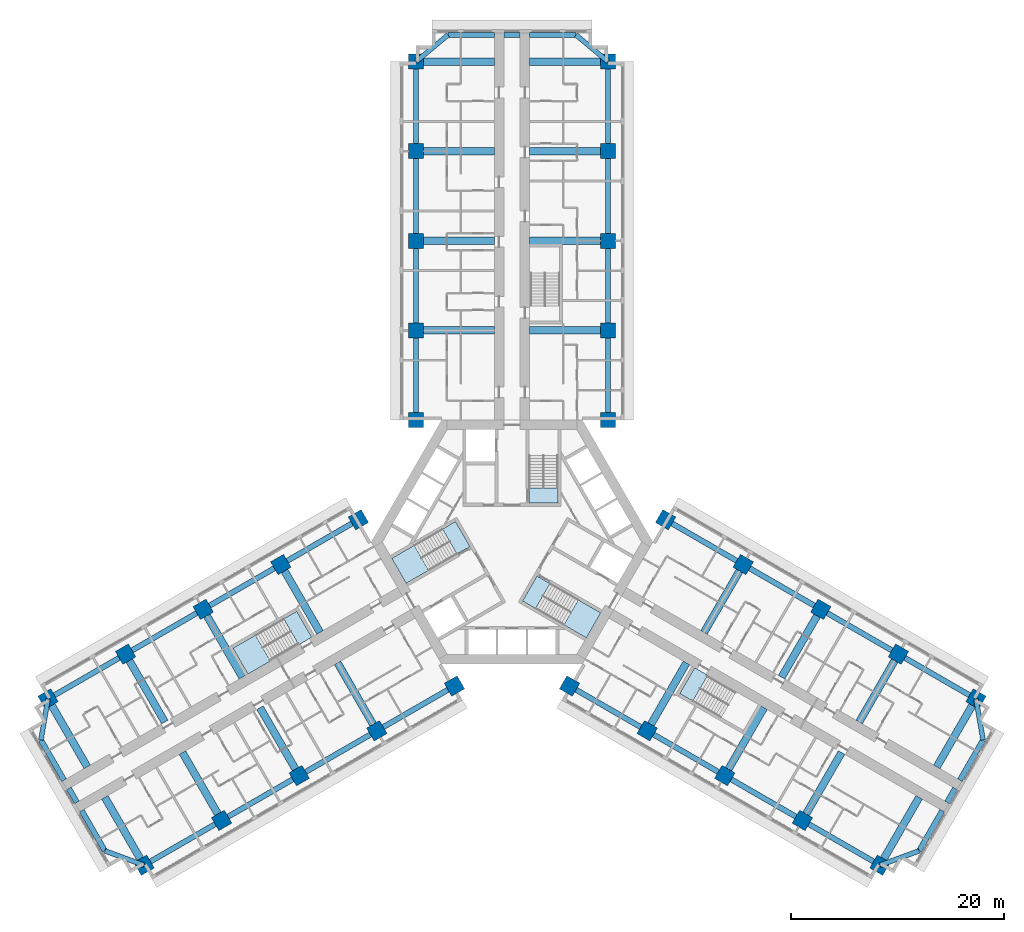
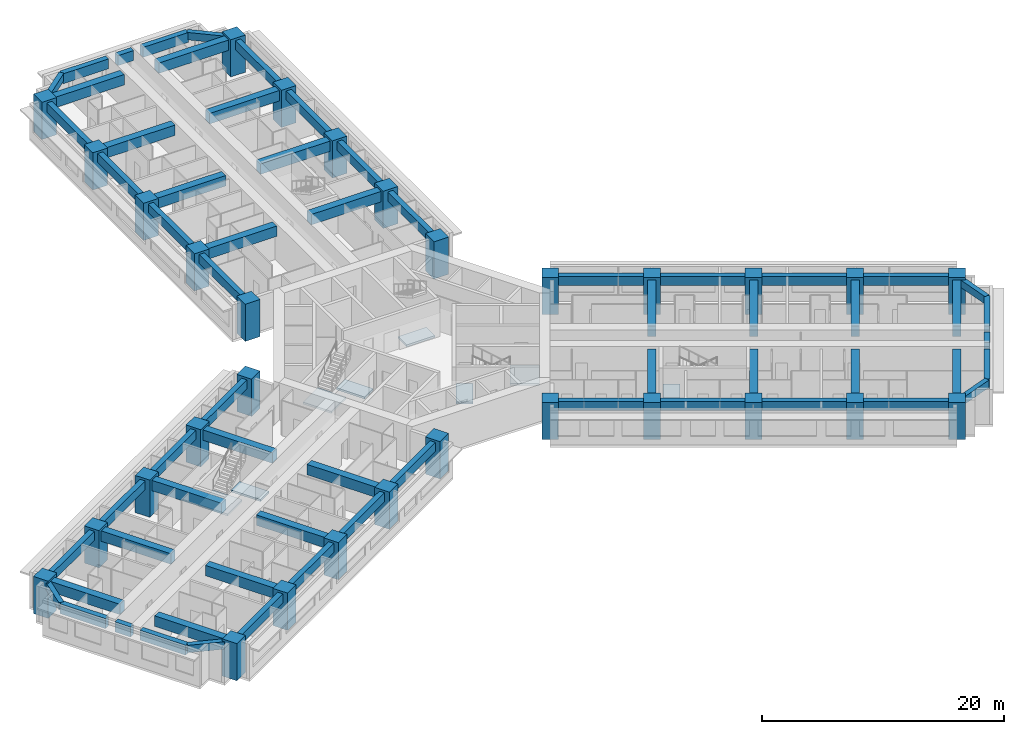
# One storey, part 1 of 16: 63 beams, 30 columns, 8 slabs, 5 elements without a shape of their own.
"""IFC4 building model written with IfcOpenShell, lengths in metres."""

from ifc_helpers import new_model, si_unit, direction, frame, origin, origin_2d, place, context, subcontext, project, spatial, polyline, rectangle, outline, extrude, material, layer, layer_set, material_profile, profile_set, type_object, element, aggregate, save


model = new_model("IFC4")

# Units and contexts
model_context = context("Model", 3, precision=1e-05, world=origin(), true_north=direction((0.0, 1.0)))
body_context = subcontext(model_context, "Body", "Model", "MODEL_VIEW")
ifc_project = project(units=[si_unit("LENGTHUNIT", "METRE"), si_unit("AREAUNIT", "SQUARE_METRE"), si_unit("VOLUMEUNIT", "CUBIC_METRE"), si_unit("PLANEANGLEUNIT", "RADIAN"), si_unit("MASSUNIT", "GRAM", prefix="KILO")], contexts=[model_context])

# Site, building, storey
site_placement = place(None, origin())
site = spatial("IfcSite", under=ifc_project, at=site_placement, CompositionType="ELEMENT")
building_placement = place(site_placement, origin())
building = spatial("IfcBuilding", under=site, at=building_placement, Name="Impinga Residences", CompositionType="ELEMENT")
storey_placement = place(building_placement, frame((0.0, 0.0, 59.75)))
storey = spatial("IfcBuildingStorey", under=building, at=storey_placement, Name="L14", CompositionType="ELEMENT", Elevation=59.75)

# Columns
ifc_material_1 = material(Name="Concrete C70/85", Category="concrete")
ifc_material_profile_1 = material_profile(ifc_material_1, rectangle(XDim=1.39990234375, YDim=1.39990234375, at=origin_2d()), Name="RC 1400x1400")
ifc_profile_set_1 = profile_set([ifc_material_profile_1], Name="Concrete C70/85")
column_type = type_object("IfcColumnType", Name="C2 1400x1400 column", PredefinedType="COLUMN", material=ifc_profile_set_1)
for number, where, z_axis, x_axis, name in (
    (1, (-9.0, 11.431640625, 0.0), (0.0, 0.0, 1.0), (1.0, 0.0, 0.0), "Column C2 N1/NA L14"),
    (2, (9.0, 11.431640625, 0.0), (0.0, 0.0, 1.0), (1.0, 0.0, 0.0), "Column C2 N1/NF L14"),
    (3, (-9.0, 19.83154296875, 0.0), (0.0, 0.0, 1.0), (1.0, 0.0, 0.0), "Column C2 N2/NA L14"),
    (4, (9.0, 19.83154296875, 0.0), (0.0, 0.0, 1.0), (1.0, 0.0, 0.0), "Column C2 N2/NF L14"),
    (5, (-9.0, 28.2314453125, 0.0), (0.0, 0.0, 1.0), (1.0, 0.0, 0.0), "Column C2 N3/NA L14"),
    (6, (9.0, 28.2314453125, 0.0), (0.0, 0.0, 1.0), (1.0, 0.0, 0.0), "Column C2 N3/NF L14"),
    (7, (-9.0, 36.631591796875, 0.0), (0.0, 0.0, 1.0), (1.0, 0.0, 0.0), "Column C2 N4/NA L14"),
    (8, (9.0, 36.631591796875, 0.0), (0.0, 0.0, 1.0), (1.0, 0.0, 0.0), "Column C2 N4/NF L14"),
    (9, (-9.0, 45.031494140625, 0.0), (0.0, 0.0, 1.0), (1.0, 0.0, 0.0), "Column C2 N5/NA L14"),
    (10, (9.0, 45.031494140625, 0.0), (0.0, 0.0, 1.0), (1.0, 0.0, 0.0), "Column C2 N5/NF L14"),
    (11, (-5.39990234375, -13.510009765625, 0.0), (0.0, 0.0, 1.0), (-0.5, 0.866025403784, 0.0), "Column C2 W1/WA L14"),
    (12, (-14.39990234375, 2.078369140625, 0.0), (0.0, 0.0, 1.0), (-0.5, 0.866025403784, 0.0), "Column C2 W1/WF L14"),
    (13, (-12.674560546875, -17.7099609375, 0.0), (0.0, 0.0, 1.0), (-0.5, 0.866025403784, 0.0), "Column C2 W2/WA L14"),
    (14, (-21.674560546875, -2.12158203125, 0.0), (0.0, 0.0, 1.0), (-0.5, 0.866025403784, 0.0), "Column C2 W2/WF L14"),
    (15, (-19.94921875, -21.909912109375, 0.0), (0.0, 0.0, 1.0), (-0.5, 0.866025403784, 0.0), "Column C2 W3/WA L14"),
    (16, (-28.94921875, -6.321533203125, 0.0), (0.0, 0.0, 1.0), (-0.5, 0.866025403784, 0.0), "Column C2 W3/WF L14"),
    (17, (-27.223876953125, -26.110107421875, 0.0), (0.0, 0.0, 1.0), (-0.5, 0.866025403784, 0.0), "Column C2 W4/WA L14"),
    (18, (-36.223876953125, -10.521484375, 0.0), (0.0, 0.0, 1.0), (-0.5, 0.866025403784, 0.0), "Column C2 W4/WF L14"),
    (19, (-34.49853515625, -30.31005859375, 0.0), (0.0, 0.0, 1.0), (-0.5, 0.866025403784, 0.0), "Column C2 W5/WA L14"),
    (20, (-43.49853515625, -14.721435546875, 0.0), (0.0, 0.0, 1.0), (-0.5, 0.866025403784, 0.0), "Column C2 W5/WF L14"),
    (21, (14.39990234375, 2.078369140625, 0.0), (0.0, 0.0, 1.0), (-0.5, -0.866025403784, 0.0), "Column C2 E1/EA L14"),
    (22, (5.39990234375, -13.510009765625, 0.0), (0.0, 0.0, 1.0), (-0.5, -0.866025403784, 0.0), "Column C2 E1/EF L14"),
    (23, (21.674560546875, -2.12158203125, 0.0), (0.0, 0.0, 1.0), (-0.5, -0.866025403784, 0.0), "Column C2 E2/EA L14"),
    (24, (12.674560546875, -17.7099609375, 0.0), (0.0, 0.0, 1.0), (-0.5, -0.866025403784, 0.0), "Column C2 E2/EF L14"),
    (25, (28.94921875, -6.321533203125, 0.0), (0.0, 0.0, 1.0), (-0.5, -0.866025403784, 0.0), "Column C2 E3/EA L14"),
    (26, (19.94921875, -21.909912109375, 0.0), (0.0, 0.0, 1.0), (-0.5, -0.866025403784, 0.0), "Column C2 E3/EF L14"),
    (27, (36.223876953125, -10.521484375, 0.0), (0.0, 0.0, 1.0), (-0.5, -0.866025403784, 0.0), "Column C2 E4/EA L14"),
    (28, (27.223876953125, -26.110107421875, 0.0), (0.0, 0.0, 1.0), (-0.5, -0.866025403784, 0.0), "Column C2 E4/EF L14"),
    (29, (43.49853515625, -14.721435546875, 0.0), (0.0, 0.0, 1.0), (-0.5, -0.866025403784, 0.0), "Column C2 E5/EA L14"),
    (30, (34.49853515625, -30.31005859375, 0.0), (0.0, 0.0, 1.0), (-0.5, -0.866025403784, 0.0), "Column C2 E5/EF L14"),
):
    element("IfcColumn", number, at=place(storey_placement, frame(where, z_axis=z_axis, x_axis=x_axis)), inside=storey, type_object=column_type, Name=name, PredefinedType="COLUMN", context=body_context, shape_type="SweptSolid", body=[
        extrude(rectangle(XDim=1.39990234375, YDim=1.39990234375, at=origin_2d()), origin(), (0.0, 0.0, 1.0), 3.75),
    ])

# Beams
ifc_material_2 = material(Name="Concrete C60/75", Category="concrete")
ifc_material_profile_2 = material_profile(ifc_material_2, rectangle(XDim=0.449951171875, YDim=0.75, at=origin_2d()), Name="RC 450x750")
ifc_profile_set_2 = profile_set([ifc_material_profile_2], Name="Concrete C60/75")
beam_type_1 = type_object("IfcBeamType", Name="CB1 450x750 wing end cantilever beam", PredefinedType="BEAM", material=ifc_profile_set_2)
for number, where, z_axis, x_axis, name in (
    (31, (-9.0, 45.031494140625, 3.155029296875), (0.768221279597, 0.640184399664, 0.0), (-0.640184399664, 0.768221279597, 0.0), "Beam CB1 NB N5-NX level L15"),
    (32, (9.0, 45.031494140625, 3.155029296875), (-0.768221279597, 0.640184399664, 0.0), (-0.640184399664, -0.768221279597, 0.0), "Beam CB1 NE N5-NX level L15"),
    (33, (-34.49853515625, -30.31005859375, 3.155029296875), (-0.938520178725, 0.345224382289, 0.0), (-0.345224382289, -0.938520178725, 0.0), "Beam CB1 WB W5-WX level L15"),
):
    element("IfcBeam", number, at=place(storey_placement, frame(where, z_axis=z_axis, x_axis=x_axis)), inside=storey, type_object=beam_type_1, Name=name, PredefinedType="BEAM", context=body_context, shape_type="SweptSolid", body=[
        extrude(rectangle(XDim=0.449951171875, YDim=0.75, at=origin_2d()), origin(), (0.0, 0.0, 1.0), 3.905029296875),
    ])
for number, where, z_axis, x_axis, name in (
    (34, (-43.49853515625, -14.721435546875, 3.155029296875), (-0.170296298948, -0.985392901621, 0.0), (0.985392901621, -0.170296298948, 0.0), "Beam CB1 WE W5-WX level L15"),
    (35, (43.49853515625, -14.721435546875, 3.155029296875), (0.170296298948, -0.985392901621, 0.0), (0.985392901621, 0.170296298948, 0.0), "Beam CB1 EB E5-EX level L15"),
):
    element("IfcBeam", number, at=place(storey_placement, frame(where, z_axis=z_axis, x_axis=x_axis)), inside=storey, type_object=beam_type_1, Name=name, PredefinedType="BEAM", context=body_context, shape_type="SweptSolid", body=[
        extrude(rectangle(XDim=0.449951171875, YDim=0.75, at=origin_2d()), origin(), (0.0, 0.0, 1.0), 3.9052734375),
    ])
beam_1_placement = place(storey_placement, frame((34.49853515625, -30.31005859375, 3.155029296875), z_axis=(0.938520178725, 0.345224382289, 0.0), x_axis=(-0.345224382289, 0.938520178725, 0.0)))
element("IfcBeam", 36, at=beam_1_placement, inside=storey, type_object=beam_type_1, Name="Beam CB1 EE E5-EX level L15", PredefinedType="BEAM", context=body_context, shape_type="SweptSolid", body=[
    extrude(rectangle(XDim=0.449951171875, YDim=0.75, at=origin_2d()), origin(), (0.0, 0.0, 1.0), 3.905029296875),
])
ifc_material_profile_3 = material_profile(ifc_material_2, rectangle(XDim=0.699951171875, YDim=1.050048828125, at=origin_2d()), Name="RC 700x1050")
ifc_profile_set_3 = profile_set([ifc_material_profile_3], Name="Concrete C60/75")
beam_type_2 = type_object("IfcBeamType", Name="CG1 700x1050 cross girder on a wing bay line", PredefinedType="BEAM", material=ifc_profile_set_3)
for number, where, z_axis, x_axis, name in (
    (37, (-1.64990234375, 19.83154296875, 3.0048828125), (-1.0, 0.0, 0.0), (0.0, -1.0, 0.0), "Beam CG1 N2 NC/NA level L15"),
    (38, (-1.64990234375, 28.2314453125, 3.0048828125), (-1.0, 0.0, 0.0), (0.0, -1.0, 0.0), "Beam CG1 N3 NC/NA level L15"),
    (39, (-1.64990234375, 36.631591796875, 3.0048828125), (-1.0, 0.0, 0.0), (0.0, -1.0, 0.0), "Beam CG1 N4 NC/NA level L15"),
    (40, (-1.64990234375, 45.031494140625, 3.0048828125), (-1.0, 0.0, 0.0), (0.0, -1.0, 0.0), "Beam CG1 N5 NC/NA level L15"),
    (41, (1.64990234375, 19.83154296875, 3.0048828125), (1.0, 0.0, 0.0), (0.0, 1.0, 0.0), "Beam CG1 N2 NC/NF level L15"),
    (42, (1.64990234375, 28.2314453125, 3.0048828125), (1.0, 0.0, 0.0), (0.0, 1.0, 0.0), "Beam CG1 N3 NC/NF level L15"),
    (43, (1.64990234375, 36.631591796875, 3.0048828125), (1.0, 0.0, 0.0), (0.0, 1.0, 0.0), "Beam CG1 N4 NC/NF level L15"),
    (44, (1.64990234375, 45.031494140625, 3.0048828125), (1.0, 0.0, 0.0), (0.0, 1.0, 0.0), "Beam CG1 N5 NC/NF level L15"),
    (45, (-16.349609375, -11.3447265625, 3.0048828125), (0.500008066151, -0.86602074674, 0.0), (0.86602074674, 0.500008066151, 0.0), "Beam CG1 W2 WC/WA level L15"),
    (46, (-23.624267578125, -15.544677734375, 3.0048828125), (0.500008066151, -0.86602074674, 0.0), (0.86602074674, 0.500008066151, 0.0), "Beam CG1 W3 WC/WA level L15"),
    (47, (-30.89892578125, -19.74462890625, 3.0048828125), (0.499993683172, -0.866029050776, 0.0), (0.866029050776, 0.499993683172, 0.0), "Beam CG1 W4 WC/WA level L15"),
):
    element("IfcBeam", number, at=place(storey_placement, frame(where, z_axis=z_axis, x_axis=x_axis)), inside=storey, type_object=beam_type_2, Name=name, PredefinedType="BEAM", context=body_context, shape_type="SweptSolid", body=[
        extrude(rectangle(XDim=0.699951171875, YDim=1.050048828125, at=origin_2d()), origin(), (0.0, 0.0, 1.0), 7.35009765625),
    ])
beam_2_placement = place(storey_placement, frame((-38.17333984375, -23.94482421875, 3.0048828125), z_axis=(0.499983153418, -0.866035129944, 0.0), x_axis=(0.866035129944, 0.499983153418, 0.0)))
element("IfcBeam", 48, at=beam_2_placement, inside=storey, type_object=beam_type_2, Name="Beam CG1 W5 WC/WA level L15", PredefinedType="BEAM", context=body_context, shape_type="SweptSolid", body=[
    extrude(rectangle(XDim=0.699951171875, YDim=1.050048828125, at=origin_2d()), origin(), (0.0, 0.0, 1.0), 7.349853515625),
])
for number, where, z_axis, x_axis, name in (
    (49, (-17.99951171875, -8.48681640625, 3.0048828125), (-0.500008066151, 0.86602074674, 0.0), (-0.86602074674, -0.500008066151, 0.0), "Beam CG1 W2 WC/WF level L15"),
    (50, (-25.274169921875, -12.686767578125, 3.0048828125), (-0.500008066151, 0.86602074674, 0.0), (-0.86602074674, -0.500008066151, 0.0), "Beam CG1 W3 WC/WF level L15"),
    (51, (-32.548828125, -16.88671875, 3.0048828125), (-0.500008066151, 0.86602074674, 0.0), (-0.86602074674, -0.500008066151, 0.0), "Beam CG1 W4 WC/WF level L15"),
    (52, (-39.823486328125, -21.0869140625, 3.0048828125), (-0.499993683172, 0.866029050776, 0.0), (-0.866029050776, -0.499993683172, 0.0), "Beam CG1 W5 WC/WF level L15"),
    (53, (17.99951171875, -8.48681640625, 3.0048828125), (0.500008066151, 0.86602074674, 0.0), (-0.86602074674, 0.500008066151, 0.0), "Beam CG1 E2 EC/EA level L15"),
    (54, (25.274169921875, -12.686767578125, 3.0048828125), (0.500008066151, 0.86602074674, 0.0), (-0.86602074674, 0.500008066151, 0.0), "Beam CG1 E3 EC/EA level L15"),
    (55, (32.548828125, -16.88671875, 3.0048828125), (0.500008066151, 0.86602074674, 0.0), (-0.86602074674, 0.500008066151, 0.0), "Beam CG1 E4 EC/EA level L15"),
    (56, (39.823486328125, -21.0869140625, 3.0048828125), (0.499993683172, 0.866029050776, 0.0), (-0.866029050776, 0.499993683172, 0.0), "Beam CG1 E5 EC/EA level L15"),
    (57, (16.349609375, -11.3447265625, 3.0048828125), (-0.500008066151, -0.86602074674, 0.0), (0.86602074674, -0.500008066151, 0.0), "Beam CG1 E2 EC/EF level L15"),
    (58, (23.624267578125, -15.544677734375, 3.0048828125), (-0.500008066151, -0.86602074674, 0.0), (0.86602074674, -0.500008066151, 0.0), "Beam CG1 E3 EC/EF level L15"),
    (59, (30.89892578125, -19.74462890625, 3.0048828125), (-0.499993683172, -0.866029050776, 0.0), (0.866029050776, -0.499993683172, 0.0), "Beam CG1 E4 EC/EF level L15"),
):
    element("IfcBeam", number, at=place(storey_placement, frame(where, z_axis=z_axis, x_axis=x_axis)), inside=storey, type_object=beam_type_2, Name=name, PredefinedType="BEAM", context=body_context, shape_type="SweptSolid", body=[
        extrude(rectangle(XDim=0.699951171875, YDim=1.050048828125, at=origin_2d()), origin(), (0.0, 0.0, 1.0), 7.35009765625),
    ])
beam_3_placement = place(storey_placement, frame((38.17333984375, -23.94482421875, 3.0048828125), z_axis=(-0.499983153418, -0.866035129944, 0.0), x_axis=(0.866035129944, -0.499983153418, 0.0)))
element("IfcBeam", 60, at=beam_3_placement, inside=storey, type_object=beam_type_2, Name="Beam CG1 E5 EC/EF level L15", PredefinedType="BEAM", context=body_context, shape_type="SweptSolid", body=[
    extrude(rectangle(XDim=0.699951171875, YDim=1.050048828125, at=origin_2d()), origin(), (0.0, 0.0, 1.0), 7.349853515625),
])
ifc_material_profile_4 = material_profile(ifc_material_2, rectangle(XDim=0.5, YDim=1.0, at=origin_2d()), Name="RC 500x1000")
ifc_profile_set_4 = profile_set([ifc_material_profile_4], Name="Concrete C60/75")
beam_type_3 = type_object("IfcBeamType", Name="EB1 500x1000 wing end beam", PredefinedType="BEAM", material=ifc_profile_set_4)
beam_4_placement = place(storey_placement, frame((-6.0, 47.531494140625, 3.030029296875), z_axis=(1.0, 0.0, 0.0), x_axis=(0.0, 1.0, 0.0)))
element("IfcBeam", 61, at=beam_4_placement, inside=storey, type_object=beam_type_3, Name="Beam EB1 NX4 level L15", PredefinedType="BEAM", context=body_context, shape_type="SweptSolid", body=[
    extrude(rectangle(XDim=0.5, YDim=1.0, at=origin_2d()), origin(), (0.0, 0.0, 1.0), 4.35009765625),
])
beam_5_placement = place(storey_placement, frame((-0.75, 47.531494140625, 3.030029296875), z_axis=(1.0, 0.0, 0.0), x_axis=(0.0, 1.0, 0.0)))
element("IfcBeam", 62, at=beam_5_placement, inside=storey, type_object=beam_type_3, Name="Beam EB1 NX4 level L15", PredefinedType="BEAM", context=body_context, shape_type="SweptSolid", body=[
    extrude(rectangle(XDim=0.5, YDim=1.0, at=origin_2d()), origin(), (0.0, 0.0, 1.0), 1.5),
])
beam_6_placement = place(storey_placement, frame((1.64990234375, 47.531494140625, 3.030029296875), z_axis=(1.0, 0.0, 0.0), x_axis=(0.0, 1.0, 0.0)))
element("IfcBeam", 63, at=beam_6_placement, inside=storey, type_object=beam_type_3, Name="Beam EB1 NX4 level L15", PredefinedType="BEAM", context=body_context, shape_type="SweptSolid", body=[
    extrude(rectangle(XDim=0.5, YDim=1.0, at=origin_2d()), origin(), (0.0, 0.0, 1.0), 4.35009765625),
])
beam_7_placement = place(storey_placement, frame((-38.16357421875, -28.9619140625, 3.030029296875), z_axis=(-0.500020430026, 0.866013608182, 0.0), x_axis=(-0.866013608182, -0.500020430026, 0.0)))
element("IfcBeam", 64, at=beam_7_placement, inside=storey, type_object=beam_type_3, Name="Beam EB1 WX4 level L15", PredefinedType="BEAM", context=body_context, shape_type="SweptSolid", body=[
    extrude(rectangle(XDim=0.5, YDim=1.0, at=origin_2d()), origin(), (0.0, 0.0, 1.0), 4.349853515625),
])
beam_8_placement = place(storey_placement, frame((-40.78857421875, -24.415283203125, 3.030029296875), z_axis=(-0.499990139034, 0.866031096941, 0.0), x_axis=(-0.866031096941, -0.499990139034, 0.0)))
element("IfcBeam", 65, at=beam_8_placement, inside=storey, type_object=beam_type_3, Name="Beam EB1 WX4 level L15", PredefinedType="BEAM", context=body_context, shape_type="SweptSolid", body=[
    extrude(rectangle(XDim=0.5, YDim=1.0, at=origin_2d()), origin(), (0.0, 0.0, 1.0), 1.5),
])
for number, where, z_axis, x_axis, name in (
    (66, (-41.988525390625, -22.3369140625, 3.030029296875), (-0.499996127374, 0.866027639635, 0.0), (-0.866027639635, -0.499996127374, 0.0), "Beam EB1 WX4 level L15"),
    (67, (44.16357421875, -18.569580078125, 3.030029296875), (-0.499996127374, -0.866027639635, 0.0), (0.866027639635, -0.499996127374, 0.0), "Beam EB1 EX4 level L15"),
):
    element("IfcBeam", number, at=place(storey_placement, frame(where, z_axis=z_axis, x_axis=x_axis)), inside=storey, type_object=beam_type_3, Name=name, PredefinedType="BEAM", context=body_context, shape_type="SweptSolid", body=[
        extrude(rectangle(XDim=0.5, YDim=1.0, at=origin_2d()), origin(), (0.0, 0.0, 1.0), 4.35009765625),
    ])
beam_9_placement = place(storey_placement, frame((41.53857421875, -23.1162109375, 3.030029296875), z_axis=(-0.499990139034, -0.866031096941, 0.0), x_axis=(0.866031096941, -0.499990139034, 0.0)))
element("IfcBeam", 68, at=beam_9_placement, inside=storey, type_object=beam_type_3, Name="Beam EB1 EX4 level L15", PredefinedType="BEAM", context=body_context, shape_type="SweptSolid", body=[
    extrude(rectangle(XDim=0.5, YDim=1.0, at=origin_2d()), origin(), (0.0, 0.0, 1.0), 1.5),
])
beam_10_placement = place(storey_placement, frame((40.338623046875, -25.19482421875, 3.030029296875), z_axis=(-0.500020430026, -0.866013608182, 0.0), x_axis=(0.866013608182, -0.500020430026, 0.0)))
element("IfcBeam", 69, at=beam_10_placement, inside=storey, type_object=beam_type_3, Name="Beam EB1 EX4 level L15", PredefinedType="BEAM", context=body_context, shape_type="SweptSolid", body=[
    extrude(rectangle(XDim=0.5, YDim=1.0, at=origin_2d()), origin(), (0.0, 0.0, 1.0), 4.349853515625),
])
ifc_material_profile_5 = material_profile(ifc_material_2, rectangle(XDim=0.5, YDim=0.89990234375, at=origin_2d()), Name="RC 500x900")
ifc_profile_set_5 = profile_set([ifc_material_profile_5], Name="Concrete C60/75")
beam_type_4 = type_object("IfcBeamType", Name="SB1 500x900 perimeter spandrel beam", PredefinedType="SPANDREL", material=ifc_profile_set_5)
for number, where, z_axis, x_axis, name in (
    (70, (-9.0, 11.431640625, 3.080078125), (0.0, 1.0, 0.0), (-1.0, 0.0, 0.0), "Beam SB1 NA N1-N2 level L15"),
    (71, (-9.0, 19.83154296875, 3.080078125), (0.0, 1.0, 0.0), (-1.0, 0.0, 0.0), "Beam SB1 NA N2-N3 level L15"),
):
    element("IfcBeam", number, at=place(storey_placement, frame(where, z_axis=z_axis, x_axis=x_axis)), inside=storey, type_object=beam_type_4, Name=name, PredefinedType="SPANDREL", context=body_context, shape_type="SweptSolid", body=[
        extrude(rectangle(XDim=0.5, YDim=0.89990234375, at=origin_2d()), origin(), (0.0, 0.0, 1.0), 8.39990234375),
    ])
beam_11_placement = place(storey_placement, frame((-9.0, 28.2314453125, 3.080078125), z_axis=(0.0, 1.0, 0.0), x_axis=(-1.0, 0.0, 0.0)))
element("IfcBeam", 72, at=beam_11_placement, inside=storey, type_object=beam_type_4, Name="Beam SB1 NA N3-N4 level L15", PredefinedType="SPANDREL", context=body_context, shape_type="SweptSolid", body=[
    extrude(rectangle(XDim=0.5, YDim=0.89990234375, at=origin_2d()), origin(), (0.0, 0.0, 1.0), 8.400146484375),
])
for number, where, z_axis, x_axis, name in (
    (73, (-9.0, 36.631591796875, 3.080078125), (0.0, 1.0, 0.0), (-1.0, 0.0, 0.0), "Beam SB1 NA N4-N5 level L15"),
    (74, (9.0, 11.431640625, 3.080078125), (0.0, 1.0, 0.0), (-1.0, 0.0, 0.0), "Beam SB1 NF N1-N2 level L15"),
    (75, (9.0, 19.83154296875, 3.080078125), (0.0, 1.0, 0.0), (-1.0, 0.0, 0.0), "Beam SB1 NF N2-N3 level L15"),
):
    element("IfcBeam", number, at=place(storey_placement, frame(where, z_axis=z_axis, x_axis=x_axis)), inside=storey, type_object=beam_type_4, Name=name, PredefinedType="SPANDREL", context=body_context, shape_type="SweptSolid", body=[
        extrude(rectangle(XDim=0.5, YDim=0.89990234375, at=origin_2d()), origin(), (0.0, 0.0, 1.0), 8.39990234375),
    ])
beam_12_placement = place(storey_placement, frame((9.0, 28.2314453125, 3.080078125), z_axis=(0.0, 1.0, 0.0), x_axis=(-1.0, 0.0, 0.0)))
element("IfcBeam", 76, at=beam_12_placement, inside=storey, type_object=beam_type_4, Name="Beam SB1 NF N3-N4 level L15", PredefinedType="SPANDREL", context=body_context, shape_type="SweptSolid", body=[
    extrude(rectangle(XDim=0.5, YDim=0.89990234375, at=origin_2d()), origin(), (0.0, 0.0, 1.0), 8.400146484375),
])
for number, where, z_axis, x_axis, name in (
    (77, (9.0, 36.631591796875, 3.080078125), (0.0, 1.0, 0.0), (-1.0, 0.0, 0.0), "Beam SB1 NF N4-N5 level L15"),
    (78, (-5.39990234375, -13.510009765625, 3.080078125), (-0.86602925447, -0.499993330357, 0.0), (0.499993330357, -0.86602925447, 0.0), "Beam SB1 WA W1-W2 level L15"),
    (79, (-12.674560546875, -17.7099609375, 3.080078125), (-0.86602925447, -0.499993330357, 0.0), (0.499993330357, -0.86602925447, 0.0), "Beam SB1 WA W2-W3 level L15"),
):
    element("IfcBeam", number, at=place(storey_placement, frame(where, z_axis=z_axis, x_axis=x_axis)), inside=storey, type_object=beam_type_4, Name=name, PredefinedType="SPANDREL", context=body_context, shape_type="SweptSolid", body=[
        extrude(rectangle(XDim=0.5, YDim=0.89990234375, at=origin_2d()), origin(), (0.0, 0.0, 1.0), 8.39990234375),
    ])
beam_13_placement = place(storey_placement, frame((-19.94921875, -21.909912109375, 3.080078125), z_axis=(-0.866016669275, -0.500015128309, 0.0), x_axis=(0.500015128309, -0.866016669275, 0.0)))
element("IfcBeam", 80, at=beam_13_placement, inside=storey, type_object=beam_type_4, Name="Beam SB1 WA W3-W4 level L15", PredefinedType="SPANDREL", context=body_context, shape_type="SweptSolid", body=[
    extrude(rectangle(XDim=0.5, YDim=0.89990234375, at=origin_2d()), origin(), (0.0, 0.0, 1.0), 8.400146484375),
])
for number, where, z_axis, x_axis, name in (
    (81, (-27.223876953125, -26.110107421875, 3.080078125), (-0.86602925447, -0.499993330357, 0.0), (0.499993330357, -0.86602925447, 0.0), "Beam SB1 WA W4-W5 level L15"),
    (82, (-14.39990234375, 2.078369140625, 3.080078125), (-0.86602925447, -0.499993330357, 0.0), (0.499993330357, -0.86602925447, 0.0), "Beam SB1 WF W1-W2 level L15"),
    (83, (-21.674560546875, -2.12158203125, 3.080078125), (-0.86602925447, -0.499993330357, 0.0), (0.499993330357, -0.86602925447, 0.0), "Beam SB1 WF W2-W3 level L15"),
    (84, (-28.94921875, -6.321533203125, 3.080078125), (-0.86602925447, -0.499993330357, 0.0), (0.499993330357, -0.86602925447, 0.0), "Beam SB1 WF W3-W4 level L15"),
    (85, (-36.223876953125, -10.521484375, 3.080078125), (-0.86602925447, -0.499993330357, 0.0), (0.499993330357, -0.86602925447, 0.0), "Beam SB1 WF W4-W5 level L15"),
    (86, (14.39990234375, 2.078369140625, 3.080078125), (0.86602925447, -0.499993330357, 0.0), (0.499993330357, 0.86602925447, 0.0), "Beam SB1 EA E1-E2 level L15"),
    (87, (21.674560546875, -2.12158203125, 3.080078125), (0.86602925447, -0.499993330357, 0.0), (0.499993330357, 0.86602925447, 0.0), "Beam SB1 EA E2-E3 level L15"),
    (88, (28.94921875, -6.321533203125, 3.080078125), (0.86602925447, -0.499993330357, 0.0), (0.499993330357, 0.86602925447, 0.0), "Beam SB1 EA E3-E4 level L15"),
    (89, (36.223876953125, -10.521484375, 3.080078125), (0.86602925447, -0.499993330357, 0.0), (0.499993330357, 0.86602925447, 0.0), "Beam SB1 EA E4-E5 level L15"),
    (90, (5.39990234375, -13.510009765625, 3.080078125), (0.86602925447, -0.499993330357, 0.0), (0.499993330357, 0.86602925447, 0.0), "Beam SB1 EF E1-E2 level L15"),
    (91, (12.674560546875, -17.7099609375, 3.080078125), (0.86602925447, -0.499993330357, 0.0), (0.499993330357, 0.86602925447, 0.0), "Beam SB1 EF E2-E3 level L15"),
):
    element("IfcBeam", number, at=place(storey_placement, frame(where, z_axis=z_axis, x_axis=x_axis)), inside=storey, type_object=beam_type_4, Name=name, PredefinedType="SPANDREL", context=body_context, shape_type="SweptSolid", body=[
        extrude(rectangle(XDim=0.5, YDim=0.89990234375, at=origin_2d()), origin(), (0.0, 0.0, 1.0), 8.39990234375),
    ])
beam_14_placement = place(storey_placement, frame((19.94921875, -21.909912109375, 3.080078125), z_axis=(0.866016669275, -0.500015128309, 0.0), x_axis=(0.500015128309, 0.866016669275, 0.0)))
element("IfcBeam", 92, at=beam_14_placement, inside=storey, type_object=beam_type_4, Name="Beam SB1 EF E3-E4 level L15", PredefinedType="SPANDREL", context=body_context, shape_type="SweptSolid", body=[
    extrude(rectangle(XDim=0.5, YDim=0.89990234375, at=origin_2d()), origin(), (0.0, 0.0, 1.0), 8.400146484375),
])
beam_15_placement = place(storey_placement, frame((27.223876953125, -26.110107421875, 3.080078125), z_axis=(0.86602925447, -0.499993330357, 0.0), x_axis=(0.499993330357, 0.86602925447, 0.0)))
element("IfcBeam", 93, at=beam_15_placement, inside=storey, type_object=beam_type_4, Name="Beam SB1 EF E4-E5 level L15", PredefinedType="SPANDREL", context=body_context, shape_type="SweptSolid", body=[
    extrude(rectangle(XDim=0.5, YDim=0.89990234375, at=origin_2d()), origin(), (0.0, 0.0, 1.0), 8.39990234375),
])

# Stair, slab
ifc_material_3 = material(Name="Concrete C40/50", Category="concrete")
stair_type_1 = type_object("IfcStairType", Name="STR core stair 3750 storey, 24 risers", PredefinedType="HALF_TURN_STAIR", material=ifc_material_3)
stair_1_placement = place(storey_placement, origin())
stair_1 = element("IfcStair", 94, at=stair_1_placement, inside=storey, type_object=stair_type_1, Name="Stair ST1 L14", PredefinedType="HALF_TURN_STAIR")
ifc_layer = layer(ifc_material_3, 0.199951171875)
ifc_layer_set = layer_set([ifc_layer], Name="Concrete C40/50")
slab_type = type_object("IfcSlabType", Name="LS1 stair landing 200", PredefinedType="LANDING", material=ifc_layer_set)
slab_1_placement = place(storey_placement, frame((0.0, 0.0, -0.199951171875)))
slab_1 = element("IfcSlab", 95, at=slab_1_placement, type_object=slab_type, Name="ST1 landing 1", PredefinedType="LANDING", context=body_context, shape_type="SweptSolid", body=[
    extrude(outline(polyline([(1.60009765625, 3.6298828125), (4.300048828125, 3.6298828125), (4.300048828125, 5.0400390625), (1.60009765625, 5.0400390625), (1.60009765625, 3.6298828125)])), origin(), (0.0, 0.0, 1.0), 0.199951171875),
])
aggregate(stair_1, [slab_1])

# Stair, slabs
stair_2_placement = place(storey_placement, origin())
stair_2 = element("IfcStair", 96, at=stair_2_placement, inside=storey, type_object=stair_type_1, Name="Stair ST2 L14", PredefinedType="HALF_TURN_STAIR")
slab_2_placement = place(storey_placement, frame((0.0, 0.0, -0.199951171875)))
slab_2 = element("IfcSlab", 97, at=slab_2_placement, type_object=slab_type, Name="ST2 landing 1", PredefinedType="LANDING", context=body_context, shape_type="SweptSolid", body=[
    extrude(outline(polyline([(-3.943603515625, -0.429443359375), (-5.293701171875, 1.908935546875), (-6.5146484375, 1.203857421875), (-5.164794921875, -1.13427734375), (-3.943603515625, -0.429443359375)])), origin(), (0.0, 0.0, 1.0), 0.199951171875),
])
slab_3_placement = place(storey_placement, frame((0.0, 0.0, 1.675048828125)))
slab_3 = element("IfcSlab", 98, at=slab_3_placement, type_object=slab_type, Name="ST2 landing 2", PredefinedType="LANDING", context=body_context, shape_type="SweptSolid", body=[
    extrude(outline(polyline([(-7.814697265625, -2.664306640625), (-9.164794921875, -0.326171875), (-11.2705078125, -1.541748046875), (-9.920654296875, -3.880126953125), (-7.814697265625, -2.664306640625)])), origin(), (0.0, 0.0, 1.0), 0.199951171875),
])
aggregate(stair_2, [slab_2, slab_3])

stair_3_placement = place(storey_placement, origin())
stair_3 = element("IfcStair", 99, at=stair_3_placement, inside=storey, type_object=stair_type_1, Name="Stair ST3 L14", PredefinedType="HALF_TURN_STAIR")
slab_4_placement = place(storey_placement, frame((0.0, 0.0, -0.199951171875)))
slab_4 = element("IfcSlab", 100, at=slab_4_placement, type_object=slab_type, Name="ST3 landing 1", PredefinedType="LANDING", context=body_context, shape_type="SweptSolid", body=[
    extrude(outline(polyline([(2.34375, -3.20068359375), (0.99365234375, -5.538818359375), (2.21484375, -6.243896484375), (3.564697265625, -3.90576171875), (2.34375, -3.20068359375)])), origin(), (0.0, 0.0, 1.0), 0.199951171875),
])
slab_5_placement = place(storey_placement, frame((0.0, 0.0, 1.675048828125)))
slab_5 = element("IfcSlab", 101, at=slab_5_placement, type_object=slab_type, Name="ST3 landing 2", PredefinedType="LANDING", context=body_context, shape_type="SweptSolid", body=[
    extrude(outline(polyline([(6.21484375, -5.435546875), (4.86474609375, -7.77392578125), (6.970458984375, -8.98974609375), (8.320556640625, -6.6513671875), (6.21484375, -5.435546875)])), origin(), (0.0, 0.0, 1.0), 0.199951171875),
])
aggregate(stair_3, [slab_4, slab_5])

stair_type_2 = type_object("IfcStairType", Name="STR wing stair 3750 storey, 24 risers", PredefinedType="HALF_TURN_STAIR", material=ifc_material_3)
stair_4_placement = place(storey_placement, origin())
stair_4 = element("IfcStair", 102, at=stair_4_placement, inside=storey, type_object=stair_type_2, Name="Stair WS2 L14", PredefinedType="HALF_TURN_STAIR")
slab_6_placement = place(storey_placement, frame((0.0, 0.0, -0.199951171875)))
slab_6 = element("IfcSlab", 103, at=slab_6_placement, type_object=slab_type, Name="WS2 landing 1", PredefinedType="LANDING", context=body_context, shape_type="SweptSolid", body=[
    extrude(outline(polyline([(-18.779052734375, -8.936767578125), (-20.178955078125, -6.511962890625), (-21.400146484375, -7.217041015625), (-20.000244140625, -9.641845703125), (-18.779052734375, -8.936767578125)])), origin(), (0.0, 0.0, 1.0), 0.199951171875),
])
slab_7_placement = place(storey_placement, frame((0.0, 0.0, 1.675048828125)))
slab_7 = element("IfcSlab", 104, at=slab_7_placement, type_object=slab_type, Name="WS2 landing 2", PredefinedType="LANDING", context=body_context, shape_type="SweptSolid", body=[
    extrude(outline(polyline([(-22.650146484375, -11.171875), (-24.050048828125, -8.7470703125), (-26.154541015625, -9.9619140625), (-24.754638671875, -12.38671875), (-22.650146484375, -11.171875)])), origin(), (0.0, 0.0, 1.0), 0.199951171875),
])
aggregate(stair_4, [slab_6, slab_7])

# Stair, slab
stair_5_placement = place(storey_placement, origin())
stair_5 = element("IfcStair", 105, at=stair_5_placement, inside=storey, type_object=stair_type_2, Name="Stair WS3 L14", PredefinedType="HALF_TURN_STAIR")
slab_8_placement = place(storey_placement, frame((0.0, 0.0, -0.199951171875)))
slab_8 = element("IfcSlab", 106, at=slab_8_placement, type_object=slab_type, Name="WS3 landing 1", PredefinedType="LANDING", context=body_context, shape_type="SweptSolid", body=[
    extrude(outline(polyline([(17.129150390625, -11.794677734375), (15.72900390625, -14.219482421875), (16.9501953125, -14.924560546875), (18.35009765625, -12.499755859375), (17.129150390625, -11.794677734375)])), origin(), (0.0, 0.0, 1.0), 0.199951171875),
])
aggregate(stair_5, [slab_8])

save(model, "model.ifc")
